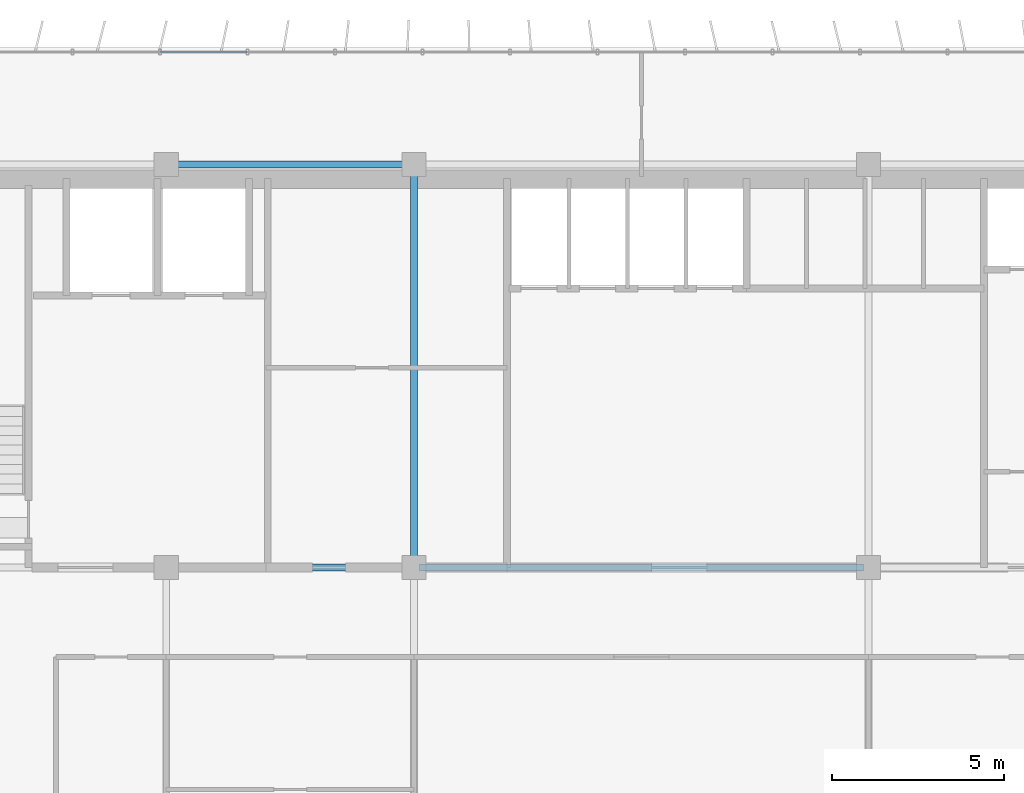
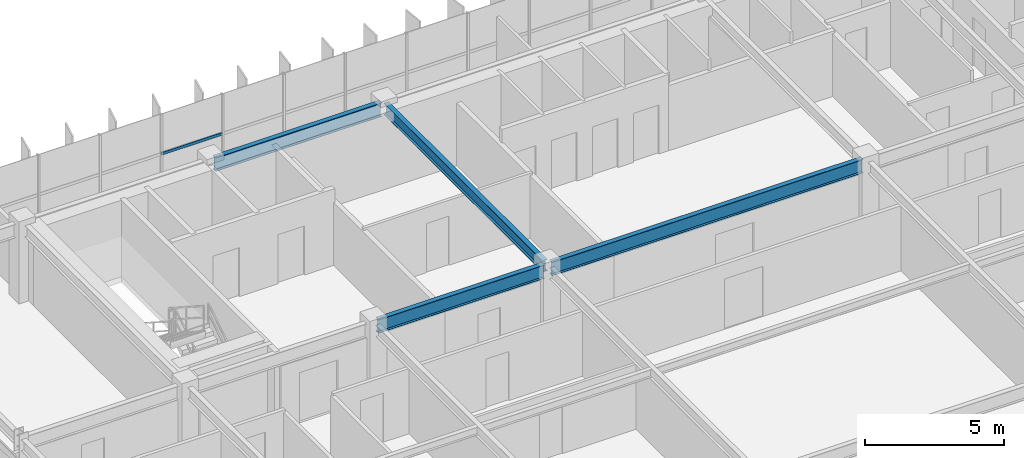
# One storey, part 5 of 20: 4 beams, 1 member, 1 element without a shape of its own.
"""IFC4 building model written with IfcOpenShell, lengths in metres."""

from ifc_helpers import new_model, si_unit, direction, frame, origin, origin_2d, place, context, subcontext, project, spatial, hollow_rectangle, i_section, extrude, source, transform, mapped, material, material_profile, profile_set, type_object, element, aggregate, save


model = new_model("IFC4")

# Units and contexts
model_context = context("Model", 3, precision=1e-05, world=origin(), true_north=direction((0.0, 1.0)))
body_context = subcontext(model_context, "Body", "Model", "MODEL_VIEW")
ifc_project = project(units=[si_unit("LENGTHUNIT", "METRE"), si_unit("AREAUNIT", "SQUARE_METRE"), si_unit("VOLUMEUNIT", "CUBIC_METRE"), si_unit("PLANEANGLEUNIT", "RADIAN"), si_unit("MASSUNIT", "GRAM", prefix="KILO")], contexts=[model_context])

# Site, building, storey
site_placement = place(None, origin())
site = spatial("IfcSite", under=ifc_project, at=site_placement, CompositionType="ELEMENT")
building_placement = place(site_placement, origin())
building = spatial("IfcBuilding", under=site, at=building_placement, Name="Trelvane Seafront Commons", CompositionType="ELEMENT")
storey_placement = place(building_placement, frame((0.0, 0.0, 142.89990234375)))
storey = spatial("IfcBuildingStorey", under=building, at=storey_placement, Name="L37", CompositionType="ELEMENT", Elevation=142.89990234375)

# Beams
ifc_material_1 = material(Name="Steel SM355 (S355)", Category="steel")
ifc_material_profile_1 = material_profile(ifc_material_1, i_section(OverallWidth=0.199951171875, OverallDepth=0.5, WebThickness=0.010009765625, FlangeThickness=0.01611328125, at=origin_2d()), Name="H-500x200x10x16")
ifc_profile_set_1 = profile_set([ifc_material_profile_1], Name="Steel SM355 (S355)")
beam_type_1 = type_object("IfcBeamType", Name="STR-BM-H500", PredefinedType="BEAM", material=ifc_profile_set_1)
shared_shape_1 = source(origin(), body_context, "Body", "SweptSolid", [
    extrude(i_section(OverallWidth=0.199951171875, OverallDepth=0.5, WebThickness=0.010009765625, FlangeThickness=0.01611328125, at=origin_2d()), origin(), (0.0, 0.0, 1.0), 11.39990234375),
])
beam_1_placement = place(storey_placement, frame((30.60009765625, 33.550048828125, 3.10009765625), z_axis=(0.0, 1.0, 0.0), x_axis=(-1.0, 0.0, 0.0)))
element("IfcBeam", 1, at=beam_1_placement, inside=storey, type_object=beam_type_1, Name="L37 Primary Girder G-40", PredefinedType="BEAM", context=body_context, shape_type="MappedRepresentation", body=[
    mapped(shared_shape_1, transform((0.0, 0.0, 0.0), x_axis=(1.0, 0.0, 0.0), y_axis=(0.0, 1.0, 0.0), z_axis=(0.0, 0.0, 1.0), scale=1.0)),
])
ifc_material_profile_2 = material_profile(ifc_material_1, i_section(OverallWidth=0.199951171875, OverallDepth=0.60009765625, WebThickness=0.010986328125, FlangeThickness=0.01708984375, at=origin_2d()), Name="H-600x200x11x17")
ifc_profile_set_2 = profile_set([ifc_material_profile_2], Name="Steel SM355 (S355)")
beam_type_2 = type_object("IfcBeamType", Name="STR-SPD-H600", PredefinedType="SPANDREL", material=ifc_profile_set_2)
shared_shape_2 = source(origin(), body_context, "Body", "SweptSolid", [
    extrude(i_section(OverallWidth=0.199951171875, OverallDepth=0.60009765625, WebThickness=0.010986328125, FlangeThickness=0.01708984375, at=origin_2d()), origin(), (0.0, 0.0, 1.0), 12.89990234375),
])
beam_2_placement = place(storey_placement, frame((30.75, 33.39990234375, 3.050048828125), z_axis=(1.0, 0.0, 0.0), x_axis=(0.0, 1.0, 0.0)))
element("IfcBeam", 2, at=beam_2_placement, inside=storey, type_object=beam_type_2, Name="L37 Primary Girder G-18", PredefinedType="SPANDREL", context=body_context, shape_type="MappedRepresentation", body=[
    mapped(shared_shape_2, transform((0.0, 0.0, 0.0), x_axis=(1.0, 0.0, 0.0), y_axis=(0.0, 1.0, 0.0), z_axis=(0.0, 0.0, 1.0), scale=1.0)),
])
shared_shape_3 = source(origin(), body_context, "Body", "SweptSolid", [
    extrude(i_section(OverallWidth=0.199951171875, OverallDepth=0.60009765625, WebThickness=0.010986328125, FlangeThickness=0.01708984375, at=origin_2d()), origin(), (0.0, 0.0, 1.0), 6.89990234375),
])
for number, where, z_axis, x_axis, name in (
    (3, (23.550048828125, 33.39990234375, 3.050048828125), (1.0, 0.0, 0.0), (0.0, 1.0, 0.0), "L37 Primary Girder G-17"),
    (4, (23.550048828125, 45.10009765625, 3.050048828125), (1.0, 0.0, 0.0), (0.0, 1.0, 0.0), "L37 Primary Girder G-24"),
):
    element("IfcBeam", number, at=place(storey_placement, frame(where, z_axis=z_axis, x_axis=x_axis)), inside=storey, type_object=beam_type_2, Name=name, PredefinedType="SPANDREL", context=body_context, shape_type="MappedRepresentation", body=[
        mapped(shared_shape_3, transform((0.0, 0.0, 0.0), x_axis=(1.0, 0.0, 0.0), y_axis=(0.0, 1.0, 0.0), z_axis=(0.0, 0.0, 1.0), scale=1.0)),
    ])

# Curtain wall, member
ifc_material_2 = material(Name="Anodised pale-silver aluminium", Category="aluminium")
curtain_wall_type = type_object("IfcCurtainWallType", Name="ARCH-CW5-UPTOWER", PredefinedType="NOTDEFINED", material=ifc_material_2)
curtain_wall_placement = place(storey_placement, origin())
curtain_wall = element("IfcCurtainWall", 5, at=curtain_wall_placement, inside=storey, type_object=curtain_wall_type, Name="CW-L37-0064", PredefinedType="NOTDEFINED")
ifc_material_profile_3 = material_profile(ifc_material_2, hollow_rectangle(XDim=0.070068359375, YDim=0.1201171875, WallThickness=0.00390625, at=origin_2d()), Name="TRAN-70x120x4")
ifc_profile_set_3 = profile_set([ifc_material_profile_3], Name="Anodised pale-silver aluminium")
member_type = type_object("IfcMemberType", Name="ARCH-CW-TRAN-120", PredefinedType="USERDEFINED", material=ifc_profile_set_3)
shared_shape_4 = source(origin(), body_context, "Body", "SweptSolid", [
    extrude(hollow_rectangle(XDim=0.070068359375, YDim=0.1201171875, WallThickness=0.00390625, at=origin_2d()), origin(), (0.0, 0.0, 1.0), 2.51708984375),
])
member_placement = place(storey_placement, frame((23.235595703125, 48.3701171875, 1.608154296875), z_axis=(1.0, 0.0, 0.0), x_axis=(0.0, 1.0, 0.0)))
member = element("IfcMember", 6, at=member_placement, type_object=member_type, Name="CW-L37-0064-T03", ObjectType="TRANSOM", PredefinedType="USERDEFINED", context=body_context, shape_type="MappedRepresentation", body=[
    mapped(shared_shape_4, transform((0.0, 0.0, 0.0), x_axis=(1.0, 0.0, 0.0), y_axis=(0.0, 1.0, 0.0), z_axis=(0.0, 0.0, 1.0), scale=1.0)),
])
aggregate(curtain_wall, [member])

save(model, "model.ifc")
